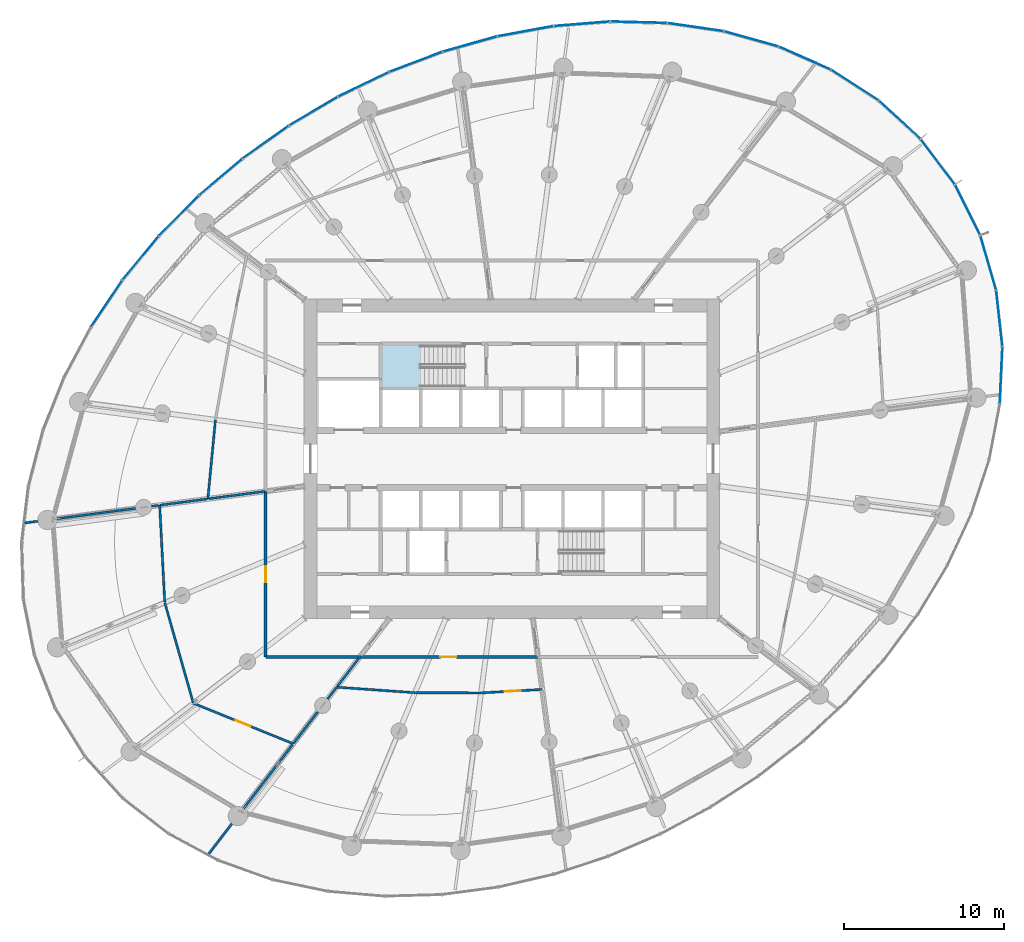
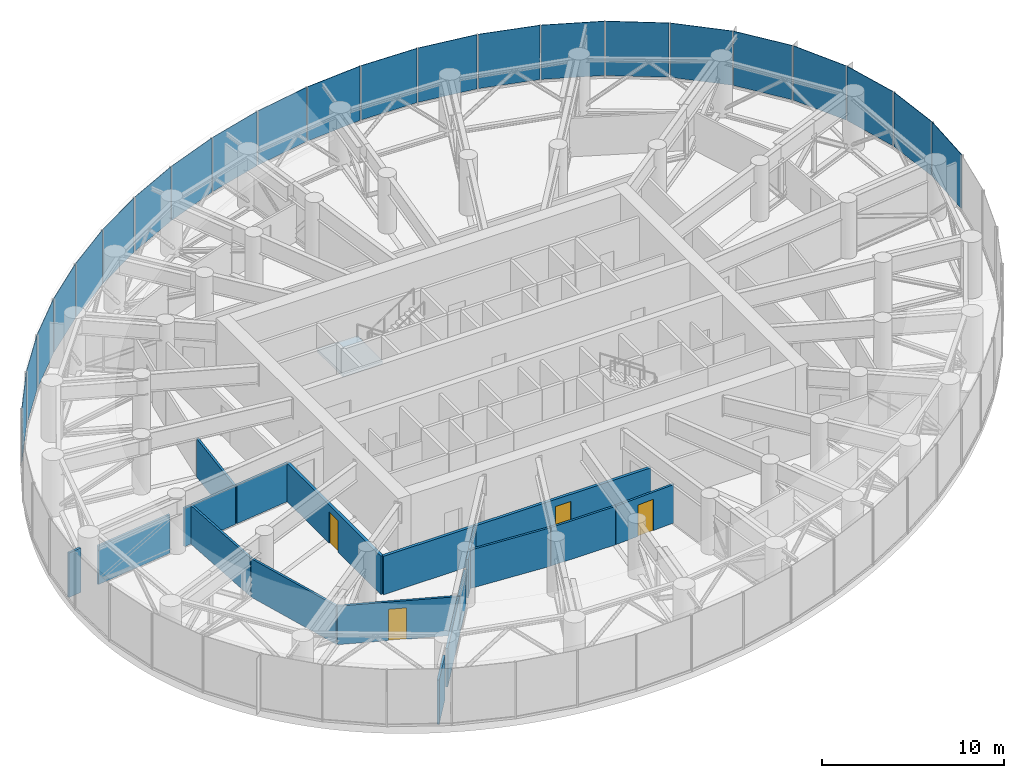
# One storey, part 15 of 33: 22 plates, 20 walls, 4 doors, 1 slab, 4 openings, 6 elements without a shape of their own.
"""IFC4 building model written with IfcOpenShell, lengths in metres."""

from ifc_helpers import new_model, si_unit, direction, frame, frame_2d, origin, origin_2d, place, context, subcontext, project, spatial, line, indexed_curve, rectangle, outline, extrude, source, transform, mapped, material, layer, layer_set, type_object, element, fill, aggregate, save


model = new_model("IFC4")

# Units and contexts
model_context = context("Model", 3, precision=1e-05, world=origin(), true_north=direction((0.0, 1.0)))
body_context = subcontext(model_context, "Body", "Model", "MODEL_VIEW")
ifc_project = project(units=[si_unit("LENGTHUNIT", "METRE"), si_unit("AREAUNIT", "SQUARE_METRE"), si_unit("VOLUMEUNIT", "CUBIC_METRE"), si_unit("PLANEANGLEUNIT", "RADIAN"), si_unit("MASSUNIT", "GRAM", prefix="KILO")], contexts=[model_context])

# Site, building, storey
site_placement = place(None, origin())
site = spatial("IfcSite", under=ifc_project, at=site_placement, CompositionType="ELEMENT")
building_placement = place(site_placement, origin())
building = spatial("IfcBuilding", under=site, at=building_placement, Name="Spindrift Exchange Tower", CompositionType="ELEMENT")
storey_placement = place(building_placement, frame((0.0, 0.0, 129.0)))
storey = spatial("IfcBuildingStorey", under=building, at=storey_placement, Name="L30", CompositionType="ELEMENT", Elevation=129.0)

# Stair, slab
ifc_material_1 = material(Name="Concrete 50 MPa", Category="concrete")
stair_type = type_object("IfcStairType", Name="ST-1250-R186", PredefinedType="HALF_TURN_STAIR", material=ifc_material_1)
stair_placement = place(storey_placement, origin())
stair = element("IfcStair", 1, at=stair_placement, inside=storey, type_object=stair_type, Name="L30 Exit stair ST1", PredefinedType="HALF_TURN_STAIR")
ifc_layer_1 = layer(ifc_material_1, 0.199951171875)
ifc_layer_set_1 = layer_set([ifc_layer_1], Name="SL-LANDING")
slab_type = type_object("IfcSlabType", Name="SL-LANDING", PredefinedType="LANDING", material=ifc_layer_set_1)
slab_placement = place(storey_placement, frame((0.0, 0.0, 1.85009765625)))
slab = element("IfcSlab", 2, at=slab_placement, type_object=slab_type, Name="ST1 landing 1", PredefinedType="LANDING", context=body_context, shape_type="SweptSolid", body=[
    extrude(outline(indexed_curve([(46.330078125, 52.39990234375), (43.800048828125, 52.39990234375), (43.800048828125, 55.199951171875), (46.330078125, 55.199951171875)], segments=[line(1, 2, 3, 4, 1)], self_intersect=False)), origin(), (0.0, 0.0, 1.0), 0.199951171875),
])
aggregate(stair, [slab])

# Curtain wall, plate
ifc_material_2 = material(Name="Fritted laminated glass with bronze frame", Category="glass")
ifc_layer_2 = layer(ifc_material_2, 0.18994140625)
ifc_layer_set_2 = layer_set([ifc_layer_2], Name="ZONE 2 BRONZE FRITTED WALL")
curtain_wall_type = type_object("IfcCurtainWallType", Name="ZONE 2 BRONZE FRITTED WALL", PredefinedType="NOTDEFINED", material=ifc_layer_set_2)
curtain_wall_1_placement = place(storey_placement, origin())
curtain_wall_1 = element("IfcCurtainWall", 3, at=curtain_wall_1_placement, inside=storey, type_object=curtain_wall_type, Name="L30 Zone 2 Bronze Fritted Wall run 1", PredefinedType="NOTDEFINED")
ifc_material_3 = material(Name="Bronze fritted laminated glass, dense frit", Category="glass")
ifc_layer_3 = layer(ifc_material_3, 0.033935546875)
ifc_layer_set_3 = layer_set([ifc_layer_3], Name="ZONE 2 BRONZE FRITTED WALL PANEL DENSE FRIT 180")
plate_type_1 = type_object("IfcPlateType", Name="ZONE 2 BRONZE FRITTED WALL PANEL DENSE FRIT 180", PredefinedType="CURTAIN_PANEL", material=ifc_layer_set_3)
shared_shape_1 = source(origin(), body_context, "Body", "SweptSolid", [
    extrude(rectangle(XDim=3.48779296875, YDim=0.033935546875, at=origin_2d()), origin(), (0.0, 0.0, 1.0), 3.639892578125),
])
plate_1_placement = place(storey_placement, frame((78.6416015625, 66.58251953125, 0.14013671875), z_axis=(0.0, 0.0, 1.0), x_axis=(-0.602440691278, 0.798163650821, 0.0)))
plate_1 = element("IfcPlate", 4, at=plate_1_placement, type_object=plate_type_1, Name="L30 panel CW-2.1", PredefinedType="CURTAIN_PANEL", context=body_context, shape_type="MappedRepresentation", body=[
    mapped(shared_shape_1, transform((0.0, 0.0, 0.0), scale=1.0)),
])

curtain_wall_2_placement = place(storey_placement, origin())
curtain_wall_2 = element("IfcCurtainWall", 5, at=curtain_wall_2_placement, inside=storey, type_object=curtain_wall_type, Name="L30 Zone 2 Bronze Fritted Wall run 9", PredefinedType="NOTDEFINED")
plate_2_placement = place(storey_placement, frame((80.50927734375, 63.566162109375, 0.14013671875), z_axis=(0.0, 0.0, 1.0), x_axis=(-0.445944758548, 0.895060485288, 0.0)))
plate_2 = element("IfcPlate", 6, at=plate_2_placement, type_object=plate_type_1, Name="L30 panel CW-2.51", PredefinedType="CURTAIN_PANEL", context=body_context, shape_type="MappedRepresentation", body=[
    mapped(shared_shape_1, transform((0.0, 0.0, 0.0), scale=1.0)),
])

# Plate
ifc_layer_4 = layer(ifc_material_3, 0.033935546875)
ifc_layer_set_4 = layer_set([ifc_layer_4], Name="ZONE 2 BRONZE FRITTED WALL PANEL DENSE FRIT 420")
plate_type_2 = type_object("IfcPlateType", Name="ZONE 2 BRONZE FRITTED WALL PANEL DENSE FRIT 420", PredefinedType="CURTAIN_PANEL", material=ifc_layer_set_4)
shared_shape_2 = source(origin(), body_context, "Body", "SweptSolid", [
    extrude(rectangle(XDim=3.488037109375, YDim=0.033935546875, at=origin_2d()), origin(), (0.0, 0.0, 1.0), 3.639892578125),
])
plate_3_placement = place(storey_placement, frame((76.257080078125, 69.210205078125, 0.14013671875), z_axis=(0.0, 0.0, 1.0), x_axis=(-0.73606873356, 0.676906802652, 0.0)))
plate_3 = element("IfcPlate", 7, at=plate_3_placement, type_object=plate_type_2, Name="L30 panel CW-2.2", PredefinedType="CURTAIN_PANEL", context=body_context, shape_type="MappedRepresentation", body=[
    mapped(shared_shape_2, transform((0.0, 0.0, 0.0), scale=1.0)),
])

ifc_layer_5 = layer(ifc_material_3, 0.033935546875)
ifc_layer_set_5 = layer_set([ifc_layer_5], Name="ZONE 2 BRONZE FRITTED WALL PANEL DENSE FRIT 300")
plate_type_3 = type_object("IfcPlateType", Name="ZONE 2 BRONZE FRITTED WALL PANEL DENSE FRIT 300", PredefinedType="CURTAIN_PANEL", material=ifc_layer_set_5)
shared_shape_3 = source(origin(), body_context, "Body", "SweptSolid", [
    extrude(rectangle(XDim=3.48876953125, YDim=0.033935546875, at=origin_2d()), origin(), (0.0, 0.0, 1.0), 3.639892578125),
])
plate_4_placement = place(storey_placement, frame((73.448486328125, 71.3818359375, 0.14013671875), z_axis=(0.0, 0.0, 1.0), x_axis=(-0.84038502814, 0.541989856435, 0.0)))
plate_4 = element("IfcPlate", 8, at=plate_4_placement, type_object=plate_type_3, Name="L30 panel CW-2.3", PredefinedType="CURTAIN_PANEL", context=body_context, shape_type="MappedRepresentation", body=[
    mapped(shared_shape_3, transform((0.0, 0.0, 0.0), scale=1.0)),
])

shared_shape_4 = source(origin(), body_context, "Body", "SweptSolid", [
    extrude(rectangle(XDim=3.489501953125, YDim=0.033935546875, at=origin_2d()), origin(), (0.0, 0.0, 1.0), 3.639892578125),
])
plate_5_placement = place(storey_placement, frame((70.3203125, 73.067138671875, 0.14013671875), z_axis=(0.0, 0.0, 1.0), x_axis=(-0.914884289718, 0.403716158243, 0.0)))
plate_5 = element("IfcPlate", 9, at=plate_5_placement, type_object=plate_type_2, Name="L30 panel CW-2.4", PredefinedType="CURTAIN_PANEL", context=body_context, shape_type="MappedRepresentation", body=[
    mapped(shared_shape_4, transform((0.0, 0.0, 0.0), scale=1.0)),
])

shared_shape_5 = source(origin(), body_context, "Body", "SweptSolid", [
    extrude(rectangle(XDim=3.489990234375, YDim=0.033935546875, at=origin_2d()), origin(), (0.0, 0.0, 1.0), 3.639892578125),
])
plate_6_placement = place(storey_placement, frame((66.973388671875, 74.26708984375, 0.14013671875), z_axis=(0.0, 0.0, 1.0), x_axis=(-0.96299058687, 0.26953502481, 0.0)))
plate_6 = element("IfcPlate", 10, at=plate_6_placement, type_object=plate_type_1, Name="L30 panel CW-2.5", PredefinedType="CURTAIN_PANEL", context=body_context, shape_type="MappedRepresentation", body=[
    mapped(shared_shape_5, transform((0.0, 0.0, 0.0), scale=1.0)),
])

shared_shape_6 = source(origin(), body_context, "Body", "SweptSolid", [
    extrude(rectangle(XDim=3.490478515625, YDim=0.033935546875, at=origin_2d()), origin(), (0.0, 0.0, 1.0), 3.639892578125),
])
plate_7_placement = place(storey_placement, frame((63.492431640625, 75.003173828125, 0.14013671875), z_axis=(0.0, 0.0, 1.0), x_axis=(-0.989664906285, 0.143399348908, 0.0)))
plate_7 = element("IfcPlate", 11, at=plate_7_placement, type_object=plate_type_2, Name="L30 panel CW-2.6", PredefinedType="CURTAIN_PANEL", context=body_context, shape_type="MappedRepresentation", body=[
    mapped(shared_shape_6, transform((0.0, 0.0, 0.0), scale=1.0)),
])

aggregate(curtain_wall_1, [plate_1, plate_3, plate_4, plate_5, plate_6, plate_7])

# Curtain wall, plates
curtain_wall_3_placement = place(storey_placement, origin())
curtain_wall_3 = element("IfcCurtainWall", 12, at=curtain_wall_3_placement, inside=storey, type_object=curtain_wall_type, Name="L30 Zone 2 Bronze Fritted Wall run 2", PredefinedType="NOTDEFINED")
shared_shape_7 = source(origin(), body_context, "Body", "SweptSolid", [
    extrude(rectangle(XDim=3.490966796875, YDim=0.033935546875, at=origin_2d()), origin(), (0.0, 0.0, 1.0), 3.639892578125),
])
plate_8_placement = place(storey_placement, frame((59.94580078125, 75.306640625, 0.14013671875), z_axis=(0.0, 0.0, 1.0), x_axis=(-0.999640539826, 0.026810280427, 0.0)))
plate_8 = element("IfcPlate", 13, at=plate_8_placement, type_object=plate_type_3, Name="L30 panel CW-2.7", PredefinedType="CURTAIN_PANEL", context=body_context, shape_type="MappedRepresentation", body=[
    mapped(shared_shape_7, transform((0.0, 0.0, 0.0), scale=1.0)),
])
shared_shape_8 = source(origin(), body_context, "Body", "SweptSolid", [
    extrude(rectangle(XDim=3.4912109375, YDim=0.033935546875, at=origin_2d()), origin(), (0.0, 0.0, 1.0), 3.639892578125),
])
plate_9_placement = place(storey_placement, frame((56.38623046875, 75.211181640625, 0.14013671875), z_axis=(0.0, 0.0, 1.0), x_axis=(-0.99676753064, -0.080339839821, 0.0)))
plate_9 = element("IfcPlate", 14, at=plate_9_placement, type_object=plate_type_1, Name="L30 panel CW-2.8", PredefinedType="CURTAIN_PANEL", context=body_context, shape_type="MappedRepresentation", body=[
    mapped(shared_shape_8, transform((0.0, 0.0, 0.0), scale=1.0)),
])
shared_shape_9 = source(origin(), body_context, "Body", "SweptSolid", [
    extrude(rectangle(XDim=3.491455078125, YDim=0.033935546875, at=origin_2d()), origin(), (0.0, 0.0, 1.0), 3.639892578125),
])
plate_10_placement = place(storey_placement, frame((52.8544921875, 74.748779296875, 0.14013671875), z_axis=(0.0, 0.0, 1.0), x_axis=(-0.983858188939, -0.178949892589, 0.0)))
plate_10 = element("IfcPlate", 15, at=plate_10_placement, type_object=plate_type_3, Name="L30 panel CW-2.9", PredefinedType="CURTAIN_PANEL", context=body_context, shape_type="MappedRepresentation", body=[
    mapped(shared_shape_9, transform((0.0, 0.0, 0.0), scale=1.0)),
])
shared_shape_10 = source(origin(), body_context, "Body", "SweptSolid", [
    extrude(rectangle(XDim=3.491455078125, YDim=0.033935546875, at=origin_2d()), origin(), (0.0, 0.0, 1.0), 3.639892578125),
])
plate_11_placement = place(storey_placement, frame((49.383056640625, 73.9482421875, 0.14013671875), z_axis=(0.0, 0.0, 1.0), x_axis=(-0.962872888363, -0.269955183049, 0.0)))
plate_11 = element("IfcPlate", 16, at=plate_11_placement, type_object=plate_type_2, Name="L30 panel CW-2.10", PredefinedType="CURTAIN_PANEL", context=body_context, shape_type="MappedRepresentation", body=[
    mapped(shared_shape_10, transform((0.0, 0.0, 0.0), scale=1.0)),
])

# Curtain wall, plate
curtain_wall_4_placement = place(storey_placement, origin())
curtain_wall_4 = element("IfcCurtainWall", 17, at=curtain_wall_4_placement, inside=storey, type_object=curtain_wall_type, Name="L30 Zone 2 Bronze Fritted Wall run 3", PredefinedType="NOTDEFINED")
plate_12_placement = place(storey_placement, frame((28.774169921875, 60.5595703125, 0.14013671875), z_axis=(0.0, 0.0, 1.0), x_axis=(-0.635958352837, -0.771723378845, 0.0)))
plate_12 = element("IfcPlate", 18, at=plate_12_placement, type_object=plate_type_2, Name="L30 panel CW-2.17", PredefinedType="CURTAIN_PANEL", context=body_context, shape_type="MappedRepresentation", body=[
    mapped(shared_shape_10, transform((0.0, 0.0, 0.0), scale=1.0)),
])

# Plate
shared_shape_11 = source(origin(), body_context, "Body", "SweptSolid", [
    extrude(rectangle(XDim=3.49169921875, YDim=0.033935546875, at=origin_2d()), origin(), (0.0, 0.0, 1.0), 3.639892578125),
])
plate_13_placement = place(storey_placement, frame((45.99853515625, 72.834716796875, 0.14013671875), z_axis=(0.0, 0.0, 1.0), x_axis=(-0.935018289808, -0.354599489177, 0.0)))
plate_13 = element("IfcPlate", 19, at=plate_13_placement, type_object=plate_type_2, Name="L30 panel CW-2.11", PredefinedType="CURTAIN_PANEL", context=body_context, shape_type="MappedRepresentation", body=[
    mapped(shared_shape_11, transform((0.0, 0.0, 0.0), scale=1.0)),
])

plate_14_placement = place(storey_placement, frame((39.581787109375, 69.748291015625, 0.14013671875), z_axis=(0.0, 0.0, 1.0), x_axis=(-0.861113167868, -0.508413328036, 0.0)))
plate_14 = element("IfcPlate", 20, at=plate_14_placement, type_object=plate_type_2, Name="L30 panel CW-2.13", PredefinedType="CURTAIN_PANEL", context=body_context, shape_type="MappedRepresentation", body=[
    mapped(shared_shape_11, transform((0.0, 0.0, 0.0), scale=1.0)),
])

plate_15_placement = place(storey_placement, frame((36.59228515625, 67.808837890625, 0.14013671875), z_axis=(0.0, 0.0, 1.0), x_axis=(-0.815223832979, -0.579146011074, 0.0)))
plate_15 = element("IfcPlate", 21, at=plate_15_placement, type_object=plate_type_2, Name="L30 panel CW-2.14", PredefinedType="CURTAIN_PANEL", context=body_context, shape_type="MappedRepresentation", body=[
    mapped(shared_shape_11, transform((0.0, 0.0, 0.0), scale=1.0)),
])

plate_16_placement = place(storey_placement, frame((33.778076171875, 65.623046875, 0.14013671875), z_axis=(0.0, 0.0, 1.0), x_axis=(-0.762951600646, -0.646455609514, 0.0)))
plate_16 = element("IfcPlate", 22, at=plate_16_placement, type_object=plate_type_2, Name="L30 panel CW-2.15", PredefinedType="CURTAIN_PANEL", context=body_context, shape_type="MappedRepresentation", body=[
    mapped(shared_shape_11, transform((0.0, 0.0, 0.0), scale=1.0)),
])

plate_17_placement = place(storey_placement, frame((31.162841796875, 63.202880859375, 0.14013671875), z_axis=(0.0, 0.0, 1.0), x_axis=(-0.703537355239, -0.710658279191, 0.0)))
plate_17 = element("IfcPlate", 23, at=plate_17_placement, type_object=plate_type_2, Name="L30 panel CW-2.16", PredefinedType="CURTAIN_PANEL", context=body_context, shape_type="MappedRepresentation", body=[
    mapped(shared_shape_11, transform((0.0, 0.0, 0.0), scale=1.0)),
])

shared_shape_12 = source(origin(), body_context, "Body", "SweptSolid", [
    extrude(rectangle(XDim=3.49169921875, YDim=0.033935546875, at=origin_2d()), origin(), (0.0, 0.0, 1.0), 3.639892578125),
])
plate_18_placement = place(storey_placement, frame((42.724365234375, 71.4287109375, 0.14013671875), z_axis=(0.0, 0.0, 1.0), x_axis=(-0.901011162558, -0.433795902407, 0.0)))
plate_18 = element("IfcPlate", 24, at=plate_18_placement, type_object=plate_type_1, Name="L30 panel CW-2.12", PredefinedType="CURTAIN_PANEL", context=body_context, shape_type="MappedRepresentation", body=[
    mapped(shared_shape_12, transform((0.0, 0.0, 0.0), scale=1.0)),
])

aggregate(curtain_wall_3, [plate_8, plate_9, plate_10, plate_11, plate_13, plate_18])

shared_shape_13 = source(origin(), body_context, "Body", "SweptSolid", [
    extrude(rectangle(XDim=3.4912109375, YDim=0.033935546875, at=origin_2d()), origin(), (0.0, 0.0, 1.0), 3.639892578125),
])
plate_19_placement = place(storey_placement, frame((26.6435546875, 57.70458984375, 0.14013671875), z_axis=(0.0, 0.0, 1.0), x_axis=(-0.558867298068, -0.829257103165, 0.0)))
plate_19 = element("IfcPlate", 25, at=plate_19_placement, type_object=plate_type_3, Name="L30 panel CW-2.18", PredefinedType="CURTAIN_PANEL", context=body_context, shape_type="MappedRepresentation", body=[
    mapped(shared_shape_13, transform((0.0, 0.0, 0.0), scale=1.0)),
])

aggregate(curtain_wall_4, [plate_14, plate_15, plate_16, plate_17, plate_12, plate_19])

# Curtain wall, plate
curtain_wall_5_placement = place(storey_placement, origin())
curtain_wall_5 = element("IfcCurtainWall", 26, at=curtain_wall_5_placement, inside=storey, type_object=curtain_wall_type, Name="L30 Zone 2 Bronze Fritted Wall run 8", PredefinedType="NOTDEFINED")
shared_shape_14 = source(origin(), body_context, "Body", "SweptSolid", [
    extrude(rectangle(XDim=3.489501953125, YDim=0.033935546875, at=origin_2d()), origin(), (0.0, 0.0, 1.0), 3.639892578125),
])
plate_20_placement = place(storey_placement, frame((82.60498046875, 53.226806640625, 0.14013671875), z_axis=(0.0, 0.0, 1.0), x_axis=(0.046374213597, 0.998924137416, 0.0)))
plate_20 = element("IfcPlate", 27, at=plate_20_placement, type_object=plate_type_3, Name="L30 panel CW-2.48", PredefinedType="CURTAIN_PANEL", context=body_context, shape_type="MappedRepresentation", body=[
    mapped(shared_shape_14, transform((0.0, 0.0, 0.0), scale=1.0)),
])
aggregate(curtain_wall_5, [plate_20])

# Plate
shared_shape_15 = source(origin(), body_context, "Body", "SweptSolid", [
    extrude(rectangle(XDim=3.48876953125, YDim=0.033935546875, at=origin_2d()), origin(), (0.0, 0.0, 1.0), 3.639892578125),
])
plate_21_placement = place(storey_placement, frame((82.49072265625, 56.778076171875, 0.14013671875), z_axis=(0.0, 0.0, 1.0), x_axis=(-0.110587786781, 0.993866359937, 0.0)))
plate_21 = element("IfcPlate", 28, at=plate_21_placement, type_object=plate_type_2, Name="L30 panel CW-2.49", PredefinedType="CURTAIN_PANEL", context=body_context, shape_type="MappedRepresentation", body=[
    mapped(shared_shape_15, transform((0.0, 0.0, 0.0), scale=1.0)),
])

shared_shape_16 = source(origin(), body_context, "Body", "SweptSolid", [
    extrude(rectangle(XDim=3.488037109375, YDim=0.033935546875, at=origin_2d()), origin(), (0.0, 0.0, 1.0), 3.639892578125),
])
plate_22_placement = place(storey_placement, frame((81.798583984375, 60.26025390625, 0.14013671875), z_axis=(0.0, 0.0, 1.0), x_axis=(-0.277874682724, 0.960617333126, 0.0)))
plate_22 = element("IfcPlate", 29, at=plate_22_placement, type_object=plate_type_3, Name="L30 panel CW-2.50", PredefinedType="CURTAIN_PANEL", context=body_context, shape_type="MappedRepresentation", body=[
    mapped(shared_shape_16, transform((0.0, 0.0, 0.0), scale=1.0)),
])

aggregate(curtain_wall_2, [plate_21, plate_22, plate_2])

# Walls
ifc_material_4 = material(Name="Fire-rated plasterboard partition", Category="gypsum")
ifc_layer_6 = layer(ifc_material_4, 0.139892578125)
ifc_layer_set_6 = layer_set([ifc_layer_6], Name="W-PLANT-140")
wall_type_1 = type_object("IfcWallType", Name="W-PLANT-140", PredefinedType="PARTITIONING", material=ifc_layer_set_6)
wall_1_placement = place(storey_placement, frame((34.486328125, 25.17578125, 0.0), z_axis=(0.0, 0.0, 1.0), x_axis=(-0.608723111947, -0.793382740537, 0.0)))
element("IfcWall", 30, at=wall_1_placement, inside=storey, type_object=wall_type_1, Name="L30 Partition wall 116", PredefinedType="PARTITIONING", context=body_context, shape_type="SweptSolid", body=[
    extrude(rectangle(XDim=2.390380859375, YDim=0.139892578125, at=frame_2d((1.1953125, 0.0))), origin(), (0.0, 0.0, 1.0), 2.97998046875),
])
wall_2_placement = place(storey_placement, frame((22.344482421875, 44.095703125, 0.0), z_axis=(0.0, 0.0, 1.0), x_axis=(-0.991436143334, -0.130592395224, 0.0)))
element("IfcWall", 31, at=wall_2_placement, inside=storey, type_object=wall_type_1, Name="L30 Partition wall 138", PredefinedType="PARTITIONING", context=body_context, shape_type="SweptSolid", body=[
    extrude(rectangle(XDim=0.824462890625, YDim=0.139892578125, at=frame_2d((0.412109375, 0.0))), origin(), (0.0, 0.0, 1.0), 2.97998046875),
])

# Wall, opening, door
ifc_layer_7 = layer(ifc_material_4, 0.139892578125)
ifc_layer_set_7 = layer_set([ifc_layer_7], Name="W-PLANT-140-SOFFIT")
wall_type_2 = type_object("IfcWallType", Name="W-PLANT-140-SOFFIT", PredefinedType="PARTITIONING", material=ifc_layer_set_7)
wall_3_placement = place(storey_placement, frame((38.325439453125, 30.178955078125, 0.0), z_axis=(0.0, 0.0, 1.0), x_axis=(-0.926824754309, 0.375494174122, 0.0)))
wall_3 = element("IfcWall", 32, at=wall_3_placement, inside=storey, type_object=wall_type_2, Name="L30 Partition wall 81", PredefinedType="PARTITIONING", context=body_context, shape_type="SweptSolid", body=[
    extrude(rectangle(XDim=6.74365234375, YDim=0.139892578125, at=frame_2d((3.371826171875, 0.0))), origin(), (0.0, 0.0, 1.0), 2.580078125),
])
opening_1_placement = place(wall_3_placement, frame((2.893798828125, 0.0, 0.0)))
opening_1 = element("IfcOpeningElement", 33, at=opening_1_placement, cuts=wall_3, Name="Opening L30-D26", PredefinedType="OPENING", context=body_context, shape_type="SweptSolid", body=[
    extrude(rectangle(XDim=1.0, YDim=2.10009765625, at=frame_2d((0.5, 1.050048828125))), frame((0.0, 0.079833984375, 0.0), z_axis=(0.0, -1.0, 0.0), x_axis=(1.0, 0.0, 0.0)), (0.0, 0.0, 1.0), 0.159912109375),
])
ifc_material_5 = material(Name="Timber-core fire door", Category="wood")
door_type = type_object("IfcDoorType", Name="DR-ROOM-1000", OperationType="NOTDEFINED", PredefinedType="DOOR", material=ifc_material_5)
shared_shape_17 = source(origin(), body_context, "Body", "SweptSolid", [
    extrude(rectangle(XDim=1.0, YDim=2.10009765625, at=frame_2d((0.5, 1.050048828125))), frame((0.0, 0.02490234375, 0.0), z_axis=(0.0, -1.0, 0.0), x_axis=(1.0, 0.0, 0.0)), (0.0, 0.0, 1.0), 0.050048828125),
])
door_1_placement = place(opening_1_placement, origin())
door_1 = element("IfcDoor", 34, at=door_1_placement, inside=storey, type_object=door_type, Name="L30 Door 26", OperationType="SINGLE_SWING_LEFT", OverallHeight=2.10009765625, OverallWidth=1.0, PredefinedType="DOOR", context=body_context, shape_type="MappedRepresentation", body=[
    mapped(shared_shape_17, transform((0.0, 0.0, 0.0), scale=1.0)),
])
fill(opening_1, door_1)

# Walls
wall_4_placement = place(storey_placement, frame((30.28759765625, 39.00634765625, 0.0), z_axis=(0.0, 0.0, 1.0), x_axis=(0.273146643533, -0.961972406635, 0.0)))
element("IfcWall", 35, at=wall_4_placement, inside=storey, type_object=wall_type_2, Name="L30 Partition wall 82", PredefinedType="PARTITIONING", context=body_context, shape_type="SweptSolid", body=[
    extrude(rectangle(XDim=6.51416015625, YDim=0.139892578125, at=frame_2d((3.257080078125, 0.0))), origin(), (0.0, 0.0, 1.0), 2.580078125),
])
wall_5_placement = place(storey_placement, frame((29.968017578125, 45.099365234375, 0.0), z_axis=(0.0, 0.0, 1.0), x_axis=(0.052356216137, -0.998628472772, 0.0)))
element("IfcWall", 36, at=wall_5_placement, inside=storey, type_object=wall_type_2, Name="L30 Partition wall 83", PredefinedType="PARTITIONING", context=body_context, shape_type="SweptSolid", body=[
    extrude(rectangle(XDim=6.0712890625, YDim=0.139892578125, at=frame_2d((3.03564453125, 0.0))), origin(), (0.0, 0.0, 1.0), 2.580078125),
])
wall_6_placement = place(storey_placement, frame((38.28125, 30.121337890625, 0.0), z_axis=(0.0, 0.0, 1.0), x_axis=(-0.60874767724, -0.793363892205, 0.0)))
element("IfcWall", 37, at=wall_6_placement, inside=storey, type_object=wall_type_2, Name="L30 Partition wall 91", PredefinedType="PARTITIONING", context=body_context, shape_type="SweptSolid", body=[
    extrude(rectangle(XDim=5.025146484375, YDim=0.139892578125, at=frame_2d((2.5126953125, 0.0))), origin(), (0.0, 0.0, 1.0), 2.580078125),
])
wall_7_placement = place(storey_placement, frame((33.457763671875, 50.441162109375, 0.0), z_axis=(0.0, 0.0, 1.0), x_axis=(-0.095688058523, -0.995411369965, 0.0)))
element("IfcWall", 38, at=wall_7_placement, inside=storey, type_object=wall_type_2, Name="L30 Partition wall 95", PredefinedType="PARTITIONING", context=body_context, shape_type="SweptSolid", body=[
    extrude(rectangle(XDim=4.967529296875, YDim=0.139892578125, at=frame_2d((2.48388671875, 0.0))), origin(), (0.0, 0.0, 1.0), 2.580078125),
])
wall_8_placement = place(storey_placement, frame((28.466064453125, 44.901611328125, 0.0), z_axis=(0.0, 0.0, 1.0), x_axis=(-0.991443414541, -0.130537181533, 0.0)))
element("IfcWall", 39, at=wall_8_placement, inside=storey, type_object=wall_type_2, Name="L30 Partition wall 96", PredefinedType="PARTITIONING", context=body_context, shape_type="SweptSolid", body=[
    extrude(rectangle(XDim=4.965576171875, YDim=0.139892578125, at=frame_2d((2.48291015625, 0.0))), origin(), (0.0, 0.0, 1.0), 2.580078125),
])
wall_9_placement = place(storey_placement, frame((41.040283203125, 33.717041015625, 0.0), z_axis=(0.0, 0.0, 1.0), x_axis=(0.997502909213, -0.070625392825, 0.0)))
element("IfcWall", 40, at=wall_9_placement, inside=storey, type_object=wall_type_2, Name="L30 Partition wall 100", PredefinedType="PARTITIONING", context=body_context, shape_type="SweptSolid", body=[
    extrude(rectangle(XDim=4.912109375, YDim=0.139892578125, at=frame_2d((2.4560546875, 0.0))), origin(), (0.0, 0.0, 1.0), 2.580078125),
])
wall_10_placement = place(storey_placement, frame((45.97021484375, 33.3701171875, 0.0), z_axis=(0.0, 0.0, 1.0), x_axis=(0.999995748074, -0.002916133527, 0.0)))
element("IfcWall", 41, at=wall_10_placement, inside=storey, type_object=wall_type_2, Name="L30 Partition wall 102", PredefinedType="PARTITIONING", context=body_context, shape_type="SweptSolid", body=[
    extrude(rectangle(XDim=4.102294921875, YDim=0.139892578125, at=frame_2d((2.05126953125, 0.0))), origin(), (0.0, 0.0, 1.0), 2.580078125),
])

# Wall, opening, door
wall_11_placement = place(storey_placement, frame((53.899169921875, 33.574462890625, 0.0), z_axis=(0.0, 0.0, 1.0), x_axis=(-0.998406558005, -0.056430000288, 0.0)))
wall_11 = element("IfcWall", 42, at=wall_11_placement, inside=storey, type_object=wall_type_2, Name="L30 Partition wall 105", PredefinedType="PARTITIONING", context=body_context, shape_type="SweptSolid", body=[
    extrude(rectangle(XDim=3.802978515625, YDim=0.139892578125, at=frame_2d((1.9013671875, 0.0))), origin(), (0.0, 0.0, 1.0), 2.580078125),
])
opening_2_placement = place(wall_11_placement, frame((1.35302734375, 0.0, 0.0)))
opening_2 = element("IfcOpeningElement", 43, at=opening_2_placement, cuts=wall_11, Name="Opening L30-D28", PredefinedType="OPENING", context=body_context, shape_type="SweptSolid", body=[
    extrude(rectangle(XDim=1.0, YDim=2.10009765625, at=frame_2d((0.5, 1.050048828125))), frame((0.0, 0.079833984375, 0.0), z_axis=(0.0, -1.0, 0.0), x_axis=(1.0, 0.0, 0.0)), (0.0, 0.0, 1.0), 0.159912109375),
])
door_2_placement = place(opening_2_placement, origin())
door_2 = element("IfcDoor", 44, at=door_2_placement, inside=storey, type_object=door_type, Name="L30 Door 28", OperationType="SINGLE_SWING_LEFT", OverallHeight=2.10009765625, OverallWidth=1.0, PredefinedType="DOOR", context=body_context, shape_type="MappedRepresentation", body=[
    mapped(shared_shape_17, transform((0.0, 0.0, 0.0), scale=1.0)),
])
fill(opening_2, door_2)

# Walls
wall_12_placement = place(storey_placement, frame((36.5703125, 45.968505859375, 0.0), z_axis=(0.0, 0.0, 1.0), x_axis=(-0.991447734454, -0.130504367157, 0.0)))
element("IfcWall", 45, at=wall_12_placement, inside=storey, type_object=wall_type_2, Name="L30 Partition wall 109", PredefinedType="PARTITIONING", context=body_context, shape_type="SweptSolid", body=[
    extrude(rectangle(XDim=3.546875, YDim=0.139892578125, at=frame_2d((1.7734375, 0.0))), origin(), (0.0, 0.0, 1.0), 2.580078125),
])
wall_13_placement = place(storey_placement, frame((32.952880859375, 45.492431640625, 0.0), z_axis=(0.0, 0.0, 1.0), x_axis=(-0.991441188221, -0.130554089552, 0.0)))
element("IfcWall", 46, at=wall_13_placement, inside=storey, type_object=wall_type_2, Name="L30 Partition wall 113", PredefinedType="PARTITIONING", context=body_context, shape_type="SweptSolid", body=[
    extrude(rectangle(XDim=2.980712890625, YDim=0.139892578125, at=frame_2d((1.490234375, 0.0))), origin(), (0.0, 0.0, 1.0), 2.580078125),
])
wall_14_placement = place(storey_placement, frame((39.85791015625, 32.176025390625, 0.0), z_axis=(0.0, 0.0, 1.0), x_axis=(-0.608804420468, -0.793320349934, 0.0)))
element("IfcWall", 47, at=wall_14_placement, inside=storey, type_object=wall_type_2, Name="L30 Partition wall 115", PredefinedType="PARTITIONING", context=body_context, shape_type="SweptSolid", body=[
    extrude(rectangle(XDim=2.487548828125, YDim=0.139892578125, at=frame_2d((1.24365234375, 0.0))), origin(), (0.0, 0.0, 1.0), 2.580078125),
])
wall_15_placement = place(storey_placement, frame((42.462890625, 35.571044921875, 0.0), z_axis=(0.0, 0.0, 1.0), x_axis=(-0.608788650818, -0.79333245152, 0.0)))
element("IfcWall", 48, at=wall_15_placement, inside=storey, type_object=wall_type_2, Name="L30 Partition wall 120", PredefinedType="PARTITIONING", context=body_context, shape_type="SweptSolid", body=[
    extrude(rectangle(XDim=2.2529296875, YDim=0.139892578125, at=frame_2d((1.12646484375, 0.0))), origin(), (0.0, 0.0, 1.0), 2.580078125),
])
wall_16_placement = place(storey_placement, frame((41.02197265625, 33.693115234375, 0.0), z_axis=(0.0, 0.0, 1.0), x_axis=(-0.608783191851, -0.793336640601, 0.0)))
element("IfcWall", 49, at=wall_16_placement, inside=storey, type_object=wall_type_2, Name="L30 Partition wall 136", PredefinedType="PARTITIONING", context=body_context, shape_type="SweptSolid", body=[
    extrude(rectangle(XDim=0.903564453125, YDim=0.139892578125, at=frame_2d((0.45166015625, 0.0))), origin(), (0.0, 0.0, 1.0), 2.580078125),
])
wall_17_placement = place(storey_placement, frame((29.898193359375, 45.090087890625, 0.0), z_axis=(0.0, 0.0, 1.0), x_axis=(-0.991509530601, -0.1300340368, 0.0)))
element("IfcWall", 50, at=wall_17_placement, inside=storey, type_object=wall_type_2, Name="L30 Partition wall 141", PredefinedType="PARTITIONING", context=body_context, shape_type="SweptSolid", body=[
    extrude(rectangle(XDim=0.435546875, YDim=0.139892578125, at=frame_2d((0.2177734375, 0.0))), origin(), (0.0, 0.0, 1.0), 2.580078125),
])

# Wall, opening, door
ifc_layer_8 = layer(ifc_material_4, 0.179931640625)
ifc_layer_set_8 = layer_set([ifc_layer_8], Name="W-PLANT-180-SOFFIT")
wall_type_3 = type_object("IfcWallType", Name="W-PLANT-180-SOFFIT", PredefinedType="PARTITIONING", material=ifc_layer_set_8)
wall_18_placement = place(storey_placement, frame((53.6025390625, 35.60009765625, 0.0), z_axis=(0.0, 0.0, 1.0), x_axis=(-1.0, 0.0, 0.0)))
wall_18 = element("IfcWall", 51, at=wall_18_placement, inside=storey, type_object=wall_type_3, Name="L30 Partition wall 61", PredefinedType="PARTITIONING", context=body_context, shape_type="SweptSolid", body=[
    extrude(rectangle(XDim=11.117431640625, YDim=0.179931640625, at=frame_2d((5.55859375, 0.0))), origin(), (0.0, 0.0, 1.0), 2.580078125),
])
opening_3_placement = place(wall_18_placement, frame((5.0673828125, 0.0, 0.0)))
opening_3 = element("IfcOpeningElement", 52, at=opening_3_placement, cuts=wall_18, Name="Opening L30-D27", PredefinedType="OPENING", context=body_context, shape_type="SweptSolid", body=[
    extrude(rectangle(XDim=1.0, YDim=2.10009765625, at=frame_2d((0.5, 1.050048828125))), frame((0.0, 0.099853515625, 0.0), z_axis=(0.0, -1.0, 0.0), x_axis=(1.0, 0.0, 0.0)), (0.0, 0.0, 1.0), 0.199951171875),
])
door_3_placement = place(opening_3_placement, origin())
door_3 = element("IfcDoor", 53, at=door_3_placement, inside=storey, type_object=door_type, Name="L30 Door 27", OperationType="SINGLE_SWING_RIGHT", OverallHeight=2.10009765625, OverallWidth=1.0, PredefinedType="DOOR", context=body_context, shape_type="MappedRepresentation", body=[
    mapped(shared_shape_17, transform((0.0, 0.0, 0.0), scale=1.0)),
])
fill(opening_3, door_3)

wall_19_placement = place(storey_placement, frame((36.60009765625, 35.60009765625, 0.0), z_axis=(0.0, 0.0, 1.0), x_axis=(0.0, 1.0, 0.0)))
wall_19 = element("IfcWall", 54, at=wall_19_placement, inside=storey, type_object=wall_type_3, Name="L30 Partition wall 63", PredefinedType="PARTITIONING", context=body_context, shape_type="SweptSolid", body=[
    extrude(rectangle(XDim=10.342529296875, YDim=0.179931640625, at=frame_2d((5.17138671875, 0.0))), origin(), (0.0, 0.0, 1.0), 2.580078125),
])
opening_4_placement = place(wall_19_placement, frame((4.692626953125, 0.0, 0.0)))
opening_4 = element("IfcOpeningElement", 55, at=opening_4_placement, cuts=wall_19, Name="Opening L30-D25", PredefinedType="OPENING", context=body_context, shape_type="SweptSolid", body=[
    extrude(rectangle(XDim=1.0, YDim=2.10009765625, at=frame_2d((0.5, 1.050048828125))), frame((0.0, 0.099853515625, 0.0), z_axis=(0.0, -1.0, 0.0), x_axis=(1.0, 0.0, 0.0)), (0.0, 0.0, 1.0), 0.199951171875),
])
door_4_placement = place(opening_4_placement, origin())
door_4 = element("IfcDoor", 56, at=door_4_placement, inside=storey, type_object=door_type, Name="L30 Door 25", OperationType="SINGLE_SWING_RIGHT", OverallHeight=2.10009765625, OverallWidth=1.0, PredefinedType="DOOR", context=body_context, shape_type="MappedRepresentation", body=[
    mapped(shared_shape_17, transform((0.0, 0.0, 0.0), scale=1.0)),
])
fill(opening_4, door_4)

# Wall
wall_20_placement = place(storey_placement, frame((36.6298828125, 35.60009765625, 0.0), z_axis=(0.0, 0.0, 1.0), x_axis=(1.0, 0.0, 0.0)))
element("IfcWall", 57, at=wall_20_placement, inside=storey, type_object=wall_type_3, Name="L30 Partition wall 66", PredefinedType="PARTITIONING", context=body_context, shape_type="SweptSolid", body=[
    extrude(rectangle(XDim=5.8251953125, YDim=0.179931640625, at=frame_2d((2.91259765625, 0.0))), origin(), (0.0, 0.0, 1.0), 2.580078125),
])

save(model, "model.ifc")
